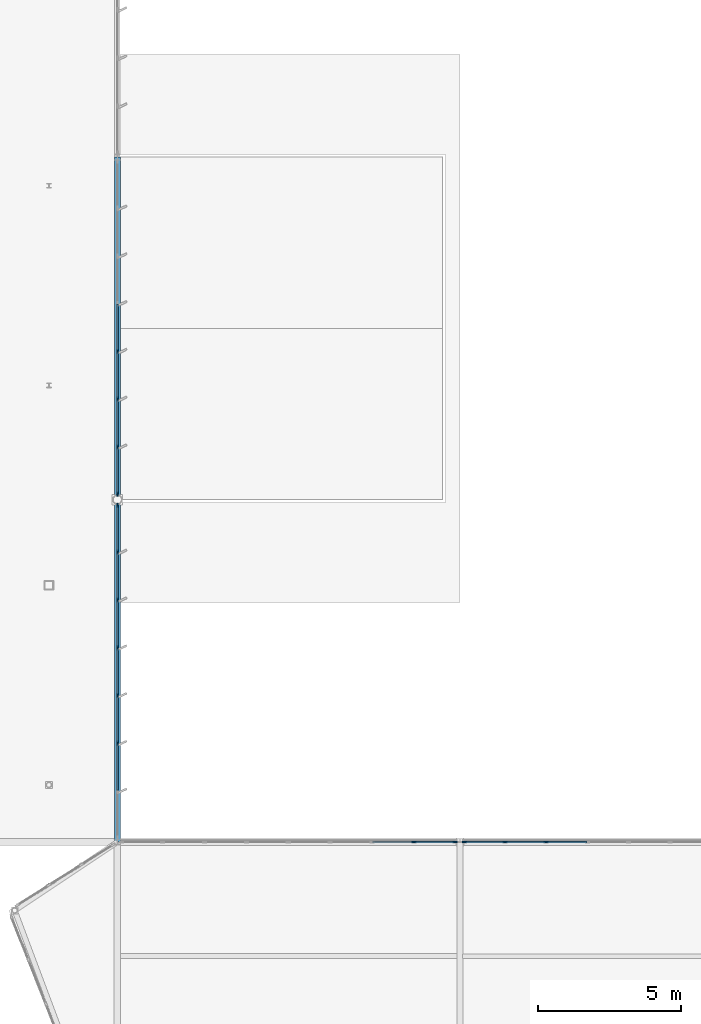
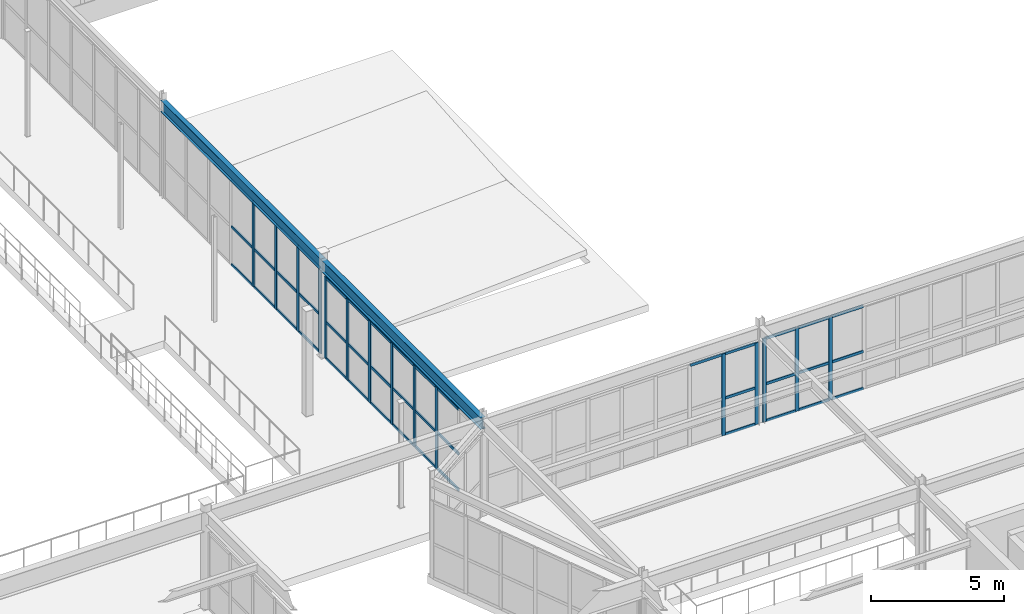
# One storey, part 115 of 226: 58 members, 2 beams, 4 elements without a shape of their own.
"""IFC4 building model written with IfcOpenShell, lengths in metres."""

from ifc_helpers import new_model, si_unit, direction, frame, origin, origin_2d, place, context, subcontext, project, spatial, rectangle, i_section, extrude, material, layer, layer_set, material_profile, profile_set, type_object, element, aggregate, save


model = new_model("IFC4")

# Units and contexts
model_context = context("Model", 3, precision=1e-05, world=origin(), true_north=direction((0.0, 1.0)))
body_context = subcontext(model_context, "Body", "Model", "MODEL_VIEW")
ifc_project = project(units=[si_unit("LENGTHUNIT", "METRE"), si_unit("AREAUNIT", "SQUARE_METRE"), si_unit("VOLUMEUNIT", "CUBIC_METRE"), si_unit("PLANEANGLEUNIT", "RADIAN"), si_unit("MASSUNIT", "GRAM", prefix="KILO")], contexts=[model_context])

# Site, building, storey
site_placement = place(None, origin())
site = spatial("IfcSite", under=ifc_project, at=site_placement, CompositionType="ELEMENT")
building_placement = place(site_placement, origin())
building = spatial("IfcBuilding", under=site, at=building_placement, Name="Tarnwether General Hospital", CompositionType="ELEMENT")
storey_placement = place(building_placement, frame((0.0, 0.0, 4.800048828125)))
storey = spatial("IfcBuildingStorey", under=building, at=storey_placement, Name="L01", CompositionType="ELEMENT", Elevation=4.800048828125)

# Beams
ifc_material_1 = material(Name="Steel Grade 350 (350 MPa)", Category="steel")
ifc_material_profile_1 = material_profile(ifc_material_1, i_section(OverallWidth=0.208984375, OverallDepth=0.532958984375, WebThickness=0.01025390625, FlangeThickness=0.015625, at=origin_2d()), Name="530UB92.4")
ifc_profile_set_1 = profile_set([ifc_material_profile_1], Name="Steel Grade 350 (350 MPa)")
beam_type_1 = type_object("IfcBeamType", Name="BM-G06", PredefinedType="BEAM", material=ifc_profile_set_1)
beam_1_placement = place(storey_placement, frame((144.0, 45.60009765625, 4.178466796875), z_axis=(0.0, 1.0, 0.0), x_axis=(-1.0, 0.0, 0.0)))
element("IfcBeam", 1, at=beam_1_placement, inside=storey, type_object=beam_type_1, Name="Primary Girder BMG-L01-14400_4560-14400_5760-1219", PredefinedType="BEAM", context=body_context, shape_type="SweptSolid", body=[
    extrude(i_section(OverallWidth=0.208984375, OverallDepth=0.532958984375, WebThickness=0.01025390625, FlangeThickness=0.015625, at=origin_2d()), origin(), (0.0, 0.0, 1.0), 12.0),
])
ifc_material_2 = material(Name="Steel Grade 350 (350 MPa)", Category="steel")
ifc_material_profile_2 = material_profile(ifc_material_2, i_section(OverallWidth=0.208984375, OverallDepth=0.528076171875, WebThickness=0.009521484375, FlangeThickness=0.01318359375, at=origin_2d()), Name="530UB82.0")
ifc_profile_set_2 = profile_set([ifc_material_profile_2], Name="Steel Grade 350 (350 MPa)")
beam_type_2 = type_object("IfcBeamType", Name="BM-G07", PredefinedType="BEAM", material=ifc_profile_set_2)
beam_2_placement = place(storey_placement, frame((144.0, 57.60009765625, 4.180908203125), z_axis=(0.0, 1.0, 0.0), x_axis=(-1.0, 0.0, 0.0)))
element("IfcBeam", 2, at=beam_2_placement, inside=storey, type_object=beam_type_2, Name="Primary Girder BMG-L01-14400_5760-14400_6960-1220", PredefinedType="BEAM", context=body_context, shape_type="SweptSolid", body=[
    extrude(i_section(OverallWidth=0.208984375, OverallDepth=0.528076171875, WebThickness=0.009521484375, FlangeThickness=0.01318359375, at=origin_2d()), origin(), (0.0, 0.0, 1.0), 12.0),
])

# Curtain wall, members
ifc_material_3 = material(Name="Anodised aluminium", Category="aluminium")
ifc_layer_1 = layer(ifc_material_3, 0.179931640625)
ifc_layer_set_1 = layer_set([ifc_layer_1], Name="Anodised aluminium")
curtain_wall_type_1 = type_object("IfcCurtainWallType", Name="CW-06", PredefinedType="NOTDEFINED", material=ifc_layer_set_1)
curtain_wall_1_placement = place(storey_placement, origin())
curtain_wall_1 = element("IfcCurtainWall", 3, at=curtain_wall_1_placement, inside=storey, type_object=curtain_wall_type_1, Name="Curtain Wall CWG-L01-1440_695-0337", PredefinedType="NOTDEFINED")
ifc_material_4 = material(Name="Anodised aluminium", Category="aluminium")
ifc_material_profile_3 = material_profile(ifc_material_4, rectangle(XDim=0.06005859375, YDim=0.159912109375, at=origin_2d()), Name="ALU-MUL-60x160")
ifc_profile_set_3 = profile_set([ifc_material_profile_3], Name="Anodised aluminium")
member_type_1 = type_object("IfcMemberType", Name="CW-ML1", PredefinedType="MULLION", material=ifc_profile_set_3)
member_1_placement = place(storey_placement, frame((144.0, 62.79296875, 0.0), z_axis=(0.0, 0.0, 1.0), x_axis=(1.0, 0.0, 0.0)))
member_1 = element("IfcMember", 4, at=member_1_placement, type_object=member_type_1, Name="CW-06 mullion 5", PredefinedType="MULLION", context=body_context, shape_type="SweptSolid", body=[
    extrude(rectangle(XDim=0.06005859375, YDim=0.159912109375, at=origin_2d()), origin(), (0.0, 0.0, 1.0), 3.89697265625),
])
member_2_placement = place(storey_placement, frame((144.0, 61.11865234375, 0.0), z_axis=(0.0, 0.0, 1.0), x_axis=(1.0, 0.0, 0.0)))
member_2 = element("IfcMember", 5, at=member_2_placement, type_object=member_type_1, Name="CW-06 mullion 6", PredefinedType="MULLION", context=body_context, shape_type="SweptSolid", body=[
    extrude(rectangle(XDim=0.06005859375, YDim=0.159912109375, at=origin_2d()), origin(), (0.0, 0.0, 1.0), 3.89697265625),
])
member_3_placement = place(storey_placement, frame((144.0, 59.4443359375, 0.0), z_axis=(0.0, 0.0, 1.0), x_axis=(1.0, 0.0, 0.0)))
member_3 = element("IfcMember", 6, at=member_3_placement, type_object=member_type_1, Name="CW-06 mullion 7", PredefinedType="MULLION", context=body_context, shape_type="SweptSolid", body=[
    extrude(rectangle(XDim=0.06005859375, YDim=0.159912109375, at=origin_2d()), origin(), (0.0, 0.0, 1.0), 3.89697265625),
])
member_4_placement = place(storey_placement, frame((144.0, 57.800048828125, 0.0), z_axis=(0.0, 0.0, 1.0), x_axis=(1.0, 0.0, 0.0)))
member_4 = element("IfcMember", 7, at=member_4_placement, type_object=member_type_1, Name="CW-06 mullion 8", PredefinedType="MULLION", context=body_context, shape_type="SweptSolid", body=[
    extrude(rectangle(XDim=0.06005859375, YDim=0.159912109375, at=origin_2d()), origin(), (0.0, 0.0, 1.0), 3.89697265625),
])

curtain_wall_2_placement = place(storey_placement, origin())
curtain_wall_2 = element("IfcCurtainWall", 8, at=curtain_wall_2_placement, inside=storey, type_object=curtain_wall_type_1, Name="Curtain Wall CWG-L01-1440_574-0338", PredefinedType="NOTDEFINED")
member_5_placement = place(storey_placement, frame((144.0, 57.39990234375, 0.0), z_axis=(0.0, 0.0, 1.0), x_axis=(1.0, 0.0, 0.0)))
member_5 = element("IfcMember", 9, at=member_5_placement, type_object=member_type_1, Name="CW-06 mullion 1", PredefinedType="MULLION", context=body_context, shape_type="SweptSolid", body=[
    extrude(rectangle(XDim=0.06005859375, YDim=0.159912109375, at=origin_2d()), origin(), (0.0, 0.0, 1.0), 3.738037109375),
])
member_6_placement = place(storey_placement, frame((144.0, 55.756103515625, 0.0), z_axis=(0.0, 0.0, 1.0), x_axis=(1.0, 0.0, 0.0)))
member_6 = element("IfcMember", 10, at=member_6_placement, type_object=member_type_1, Name="CW-06 mullion 2", PredefinedType="MULLION", context=body_context, shape_type="SweptSolid", body=[
    extrude(rectangle(XDim=0.06005859375, YDim=0.159912109375, at=origin_2d()), origin(), (0.0, 0.0, 1.0), 3.738037109375),
])
member_7_placement = place(storey_placement, frame((144.0, 54.082275390625, 0.0), z_axis=(0.0, 0.0, 1.0), x_axis=(1.0, 0.0, 0.0)))
member_7 = element("IfcMember", 11, at=member_7_placement, type_object=member_type_1, Name="CW-06 mullion 3", PredefinedType="MULLION", context=body_context, shape_type="SweptSolid", body=[
    extrude(rectangle(XDim=0.06005859375, YDim=0.159912109375, at=origin_2d()), origin(), (0.0, 0.0, 1.0), 3.738037109375),
])
member_8_placement = place(storey_placement, frame((144.0, 52.408447265625, 0.0), z_axis=(0.0, 0.0, 1.0), x_axis=(1.0, 0.0, 0.0)))
member_8 = element("IfcMember", 12, at=member_8_placement, type_object=member_type_1, Name="CW-06 mullion 4", PredefinedType="MULLION", context=body_context, shape_type="SweptSolid", body=[
    extrude(rectangle(XDim=0.06005859375, YDim=0.159912109375, at=origin_2d()), origin(), (0.0, 0.0, 1.0), 3.738037109375),
])
member_9_placement = place(storey_placement, frame((144.0, 50.734619140625, 0.0), z_axis=(0.0, 0.0, 1.0), x_axis=(1.0, 0.0, 0.0)))
member_9 = element("IfcMember", 13, at=member_9_placement, type_object=member_type_1, Name="CW-06 mullion 5", PredefinedType="MULLION", context=body_context, shape_type="SweptSolid", body=[
    extrude(rectangle(XDim=0.06005859375, YDim=0.159912109375, at=origin_2d()), origin(), (0.0, 0.0, 1.0), 3.738037109375),
])
member_10_placement = place(storey_placement, frame((144.0, 49.060791015625, 0.0), z_axis=(0.0, 0.0, 1.0), x_axis=(1.0, 0.0, 0.0)))
member_10 = element("IfcMember", 14, at=member_10_placement, type_object=member_type_1, Name="CW-06 mullion 6", PredefinedType="MULLION", context=body_context, shape_type="SweptSolid", body=[
    extrude(rectangle(XDim=0.06005859375, YDim=0.159912109375, at=origin_2d()), origin(), (0.0, 0.0, 1.0), 3.738037109375),
])

ifc_material_5 = material(Name="Anodised aluminium", Category="aluminium")
ifc_layer_2 = layer(ifc_material_5, 0.159912109375)
ifc_layer_set_2 = layer_set([ifc_layer_2], Name="Anodised aluminium")
curtain_wall_type_2 = type_object("IfcCurtainWallType", Name="CW-18", PredefinedType="NOTDEFINED", material=ifc_layer_set_2)
curtain_wall_3_placement = place(storey_placement, origin())
curtain_wall_3 = element("IfcCurtainWall", 15, at=curtain_wall_3_placement, inside=storey, type_object=curtain_wall_type_2, Name="Curtain Wall CWG-L01-1441_456-0379", PredefinedType="NOTDEFINED")
member_11_placement = place(storey_placement, frame((154.39306640625, 45.60009765625, 0.0), z_axis=(0.0, 0.0, 1.0), x_axis=(0.0, 1.0, 0.0)))
member_11 = element("IfcMember", 16, at=member_11_placement, type_object=member_type_1, Name="CW-18 mullion 8", PredefinedType="MULLION", context=body_context, shape_type="SweptSolid", body=[
    extrude(rectangle(XDim=0.06005859375, YDim=0.159912109375, at=origin_2d()), origin(), (0.0, 0.0, 1.0), 3.738037109375),
])
member_12_placement = place(storey_placement, frame((155.83203125, 45.60009765625, 0.0), z_axis=(0.0, 0.0, 1.0), x_axis=(0.0, 1.0, 0.0)))
member_12 = element("IfcMember", 17, at=member_12_placement, type_object=member_type_1, Name="CW-18 mullion 9", PredefinedType="MULLION", context=body_context, shape_type="SweptSolid", body=[
    extrude(rectangle(XDim=0.06005859375, YDim=0.159912109375, at=origin_2d()), origin(), (0.0, 0.0, 1.0), 3.738037109375),
])

curtain_wall_4_placement = place(storey_placement, origin())
curtain_wall_4 = element("IfcCurtainWall", 18, at=curtain_wall_4_placement, inside=storey, type_object=curtain_wall_type_2, Name="Curtain Wall CWG-L01-1561_456-0380", PredefinedType="NOTDEFINED")
member_13_placement = place(storey_placement, frame((156.16796875, 45.60009765625, 0.0), z_axis=(0.0, 0.0, 1.0), x_axis=(0.0, 1.0, 0.0)))
member_13 = element("IfcMember", 19, at=member_13_placement, type_object=member_type_1, Name="CW-18 mullion 1", PredefinedType="MULLION", context=body_context, shape_type="SweptSolid", body=[
    extrude(rectangle(XDim=0.06005859375, YDim=0.159912109375, at=origin_2d()), origin(), (0.0, 0.0, 1.0), 3.81787109375),
])
member_14_placement = place(storey_placement, frame((157.582275390625, 45.60009765625, 0.0), z_axis=(0.0, 0.0, 1.0), x_axis=(0.0, 1.0, 0.0)))
member_14 = element("IfcMember", 20, at=member_14_placement, type_object=member_type_1, Name="CW-18 mullion 2", PredefinedType="MULLION", context=body_context, shape_type="SweptSolid", body=[
    extrude(rectangle(XDim=0.06005859375, YDim=0.159912109375, at=origin_2d()), origin(), (0.0, 0.0, 1.0), 3.81787109375),
])
member_15_placement = place(storey_placement, frame((159.026611328125, 45.60009765625, 0.0), z_axis=(0.0, 0.0, 1.0), x_axis=(0.0, 1.0, 0.0)))
member_15 = element("IfcMember", 21, at=member_15_placement, type_object=member_type_1, Name="CW-18 mullion 3", PredefinedType="MULLION", context=body_context, shape_type="SweptSolid", body=[
    extrude(rectangle(XDim=0.06005859375, YDim=0.159912109375, at=origin_2d()), origin(), (0.0, 0.0, 1.0), 3.81787109375),
])

# Member
ifc_material_6 = material(Name="Anodised aluminium", Category="aluminium")
ifc_material_profile_4 = material_profile(ifc_material_6, rectangle(XDim=0.06005859375, YDim=0.1201171875, at=origin_2d()), Name="ALU-TRN-60x120")
ifc_profile_set_4 = profile_set([ifc_material_profile_4], Name="Anodised aluminium")
member_type_2 = type_object("IfcMemberType", Name="CW-TR1", PredefinedType="USERDEFINED", material=ifc_profile_set_4)
member_16_placement = place(storey_placement, frame((144.0, 64.437255859375, 0.030029296875), z_axis=(0.0, -1.0, 0.0), x_axis=(1.0, 0.0, 0.0)))
member_16 = element("IfcMember", 22, at=member_16_placement, type_object=member_type_2, Name="CW-06 transom 4.1", ObjectType="TRANSOM", PredefinedType="USERDEFINED", context=body_context, shape_type="SweptSolid", body=[
    extrude(rectangle(XDim=0.06005859375, YDim=0.1201171875, at=origin_2d()), origin(), (0.0, 0.0, 1.0), 1.614501953125),
])

member_17_placement = place(storey_placement, frame((144.0, 64.437255859375, 1.753662109375), z_axis=(0.0, -1.0, 0.0), x_axis=(1.0, 0.0, 0.0)))
member_17 = element("IfcMember", 23, at=member_17_placement, type_object=member_type_2, Name="CW-06 transom 4.2", ObjectType="TRANSOM", PredefinedType="USERDEFINED", context=body_context, shape_type="SweptSolid", body=[
    extrude(rectangle(XDim=0.06005859375, YDim=0.1201171875, at=origin_2d()), origin(), (0.0, 0.0, 1.0), 1.614501953125),
])

member_18_placement = place(storey_placement, frame((144.0, 64.437255859375, 3.866943359375), z_axis=(0.0, -1.0, 0.0), x_axis=(1.0, 0.0, 0.0)))
member_18 = element("IfcMember", 24, at=member_18_placement, type_object=member_type_2, Name="CW-06 transom 4.3", ObjectType="TRANSOM", PredefinedType="USERDEFINED", context=body_context, shape_type="SweptSolid", body=[
    extrude(rectangle(XDim=0.06005859375, YDim=0.1201171875, at=origin_2d()), origin(), (0.0, 0.0, 1.0), 1.614501953125),
])

member_19_placement = place(storey_placement, frame((144.0, 62.762939453125, 0.030029296875), z_axis=(0.0, -1.0, 0.0), x_axis=(1.0, 0.0, 0.0)))
member_19 = element("IfcMember", 25, at=member_19_placement, type_object=member_type_2, Name="CW-06 transom 5.1", ObjectType="TRANSOM", PredefinedType="USERDEFINED", context=body_context, shape_type="SweptSolid", body=[
    extrude(rectangle(XDim=0.06005859375, YDim=0.1201171875, at=origin_2d()), origin(), (0.0, 0.0, 1.0), 1.6142578125),
])

member_20_placement = place(storey_placement, frame((144.0, 62.762939453125, 1.753662109375), z_axis=(0.0, -1.0, 0.0), x_axis=(1.0, 0.0, 0.0)))
member_20 = element("IfcMember", 26, at=member_20_placement, type_object=member_type_2, Name="CW-06 transom 5.2", ObjectType="TRANSOM", PredefinedType="USERDEFINED", context=body_context, shape_type="SweptSolid", body=[
    extrude(rectangle(XDim=0.06005859375, YDim=0.1201171875, at=origin_2d()), origin(), (0.0, 0.0, 1.0), 1.6142578125),
])

member_21_placement = place(storey_placement, frame((144.0, 62.762939453125, 3.866943359375), z_axis=(0.0, -1.0, 0.0), x_axis=(1.0, 0.0, 0.0)))
member_21 = element("IfcMember", 27, at=member_21_placement, type_object=member_type_2, Name="CW-06 transom 5.3", ObjectType="TRANSOM", PredefinedType="USERDEFINED", context=body_context, shape_type="SweptSolid", body=[
    extrude(rectangle(XDim=0.06005859375, YDim=0.1201171875, at=origin_2d()), origin(), (0.0, 0.0, 1.0), 1.6142578125),
])

member_22_placement = place(storey_placement, frame((144.0, 61.088623046875, 0.030029296875), z_axis=(0.0, -1.0, 0.0), x_axis=(1.0, 0.0, 0.0)))
member_22 = element("IfcMember", 28, at=member_22_placement, type_object=member_type_2, Name="CW-06 transom 6.1", ObjectType="TRANSOM", PredefinedType="USERDEFINED", context=body_context, shape_type="SweptSolid", body=[
    extrude(rectangle(XDim=0.06005859375, YDim=0.1201171875, at=origin_2d()), origin(), (0.0, 0.0, 1.0), 1.6142578125),
])

member_23_placement = place(storey_placement, frame((144.0, 61.088623046875, 1.753662109375), z_axis=(0.0, -1.0, 0.0), x_axis=(1.0, 0.0, 0.0)))
member_23 = element("IfcMember", 29, at=member_23_placement, type_object=member_type_2, Name="CW-06 transom 6.2", ObjectType="TRANSOM", PredefinedType="USERDEFINED", context=body_context, shape_type="SweptSolid", body=[
    extrude(rectangle(XDim=0.06005859375, YDim=0.1201171875, at=origin_2d()), origin(), (0.0, 0.0, 1.0), 1.6142578125),
])

member_24_placement = place(storey_placement, frame((144.0, 61.088623046875, 3.866943359375), z_axis=(0.0, -1.0, 0.0), x_axis=(1.0, 0.0, 0.0)))
member_24 = element("IfcMember", 30, at=member_24_placement, type_object=member_type_2, Name="CW-06 transom 6.3", ObjectType="TRANSOM", PredefinedType="USERDEFINED", context=body_context, shape_type="SweptSolid", body=[
    extrude(rectangle(XDim=0.06005859375, YDim=0.1201171875, at=origin_2d()), origin(), (0.0, 0.0, 1.0), 1.6142578125),
])

member_25_placement = place(storey_placement, frame((144.0, 59.414306640625, 0.030029296875), z_axis=(0.0, -1.0, 0.0), x_axis=(1.0, 0.0, 0.0)))
member_25 = element("IfcMember", 31, at=member_25_placement, type_object=member_type_2, Name="CW-06 transom 7.1", ObjectType="TRANSOM", PredefinedType="USERDEFINED", context=body_context, shape_type="SweptSolid", body=[
    extrude(rectangle(XDim=0.06005859375, YDim=0.1201171875, at=origin_2d()), origin(), (0.0, 0.0, 1.0), 1.584228515625),
])

member_26_placement = place(storey_placement, frame((144.0, 59.414306640625, 1.753662109375), z_axis=(0.0, -1.0, 0.0), x_axis=(1.0, 0.0, 0.0)))
member_26 = element("IfcMember", 32, at=member_26_placement, type_object=member_type_2, Name="CW-06 transom 7.2", ObjectType="TRANSOM", PredefinedType="USERDEFINED", context=body_context, shape_type="SweptSolid", body=[
    extrude(rectangle(XDim=0.06005859375, YDim=0.1201171875, at=origin_2d()), origin(), (0.0, 0.0, 1.0), 1.584228515625),
])

member_27_placement = place(storey_placement, frame((144.0, 59.414306640625, 3.866943359375), z_axis=(0.0, -1.0, 0.0), x_axis=(1.0, 0.0, 0.0)))
member_27 = element("IfcMember", 33, at=member_27_placement, type_object=member_type_2, Name="CW-06 transom 7.3", ObjectType="TRANSOM", PredefinedType="USERDEFINED", context=body_context, shape_type="SweptSolid", body=[
    extrude(rectangle(XDim=0.06005859375, YDim=0.1201171875, at=origin_2d()), origin(), (0.0, 0.0, 1.0), 1.584228515625),
])

aggregate(curtain_wall_1, [member_1, member_2, member_3, member_4, member_16, member_17, member_18, member_19, member_20, member_21, member_22, member_23, member_24, member_25, member_26, member_27])

member_28_placement = place(storey_placement, frame((144.0, 57.3701171875, 0.030029296875), z_axis=(0.0, -1.0, 0.0), x_axis=(1.0, 0.0, 0.0)))
member_28 = element("IfcMember", 34, at=member_28_placement, type_object=member_type_2, Name="CW-06 transom 1.1", ObjectType="TRANSOM", PredefinedType="USERDEFINED", context=body_context, shape_type="SweptSolid", body=[
    extrude(rectangle(XDim=0.06005859375, YDim=0.1201171875, at=origin_2d()), origin(), (0.0, 0.0, 1.0), 1.583984375),
])

member_29_placement = place(storey_placement, frame((144.0, 57.3701171875, 1.68212890625), z_axis=(0.0, -1.0, 0.0), x_axis=(1.0, 0.0, 0.0)))
member_29 = element("IfcMember", 35, at=member_29_placement, type_object=member_type_2, Name="CW-06 transom 1.2", ObjectType="TRANSOM", PredefinedType="USERDEFINED", context=body_context, shape_type="SweptSolid", body=[
    extrude(rectangle(XDim=0.06005859375, YDim=0.1201171875, at=origin_2d()), origin(), (0.0, 0.0, 1.0), 1.583984375),
])

member_30_placement = place(storey_placement, frame((144.0, 57.3701171875, 3.7080078125), z_axis=(0.0, -1.0, 0.0), x_axis=(1.0, 0.0, 0.0)))
member_30 = element("IfcMember", 36, at=member_30_placement, type_object=member_type_2, Name="CW-06 transom 1.3", ObjectType="TRANSOM", PredefinedType="USERDEFINED", context=body_context, shape_type="SweptSolid", body=[
    extrude(rectangle(XDim=0.06005859375, YDim=0.1201171875, at=origin_2d()), origin(), (0.0, 0.0, 1.0), 1.583984375),
])

member_31_placement = place(storey_placement, frame((144.0, 55.72607421875, 0.030029296875), z_axis=(0.0, -1.0, 0.0), x_axis=(1.0, 0.0, 0.0)))
member_31 = element("IfcMember", 37, at=member_31_placement, type_object=member_type_2, Name="CW-06 transom 2.1", ObjectType="TRANSOM", PredefinedType="USERDEFINED", context=body_context, shape_type="SweptSolid", body=[
    extrude(rectangle(XDim=0.06005859375, YDim=0.1201171875, at=origin_2d()), origin(), (0.0, 0.0, 1.0), 1.61376953125),
])

member_32_placement = place(storey_placement, frame((144.0, 55.72607421875, 1.68212890625), z_axis=(0.0, -1.0, 0.0), x_axis=(1.0, 0.0, 0.0)))
member_32 = element("IfcMember", 38, at=member_32_placement, type_object=member_type_2, Name="CW-06 transom 2.2", ObjectType="TRANSOM", PredefinedType="USERDEFINED", context=body_context, shape_type="SweptSolid", body=[
    extrude(rectangle(XDim=0.06005859375, YDim=0.1201171875, at=origin_2d()), origin(), (0.0, 0.0, 1.0), 1.61376953125),
])

member_33_placement = place(storey_placement, frame((144.0, 55.72607421875, 3.7080078125), z_axis=(0.0, -1.0, 0.0), x_axis=(1.0, 0.0, 0.0)))
member_33 = element("IfcMember", 39, at=member_33_placement, type_object=member_type_2, Name="CW-06 transom 2.3", ObjectType="TRANSOM", PredefinedType="USERDEFINED", context=body_context, shape_type="SweptSolid", body=[
    extrude(rectangle(XDim=0.06005859375, YDim=0.1201171875, at=origin_2d()), origin(), (0.0, 0.0, 1.0), 1.61376953125),
])

member_34_placement = place(storey_placement, frame((144.0, 54.05224609375, 0.030029296875), z_axis=(0.0, -1.0, 0.0), x_axis=(1.0, 0.0, 0.0)))
member_34 = element("IfcMember", 40, at=member_34_placement, type_object=member_type_2, Name="CW-06 transom 3.1", ObjectType="TRANSOM", PredefinedType="USERDEFINED", context=body_context, shape_type="SweptSolid", body=[
    extrude(rectangle(XDim=0.06005859375, YDim=0.1201171875, at=origin_2d()), origin(), (0.0, 0.0, 1.0), 1.61376953125),
])

member_35_placement = place(storey_placement, frame((144.0, 54.05224609375, 1.68212890625), z_axis=(0.0, -1.0, 0.0), x_axis=(1.0, 0.0, 0.0)))
member_35 = element("IfcMember", 41, at=member_35_placement, type_object=member_type_2, Name="CW-06 transom 3.2", ObjectType="TRANSOM", PredefinedType="USERDEFINED", context=body_context, shape_type="SweptSolid", body=[
    extrude(rectangle(XDim=0.06005859375, YDim=0.1201171875, at=origin_2d()), origin(), (0.0, 0.0, 1.0), 1.61376953125),
])

member_36_placement = place(storey_placement, frame((144.0, 54.05224609375, 3.7080078125), z_axis=(0.0, -1.0, 0.0), x_axis=(1.0, 0.0, 0.0)))
member_36 = element("IfcMember", 42, at=member_36_placement, type_object=member_type_2, Name="CW-06 transom 3.3", ObjectType="TRANSOM", PredefinedType="USERDEFINED", context=body_context, shape_type="SweptSolid", body=[
    extrude(rectangle(XDim=0.06005859375, YDim=0.1201171875, at=origin_2d()), origin(), (0.0, 0.0, 1.0), 1.61376953125),
])

member_37_placement = place(storey_placement, frame((144.0, 52.37841796875, 0.030029296875), z_axis=(0.0, -1.0, 0.0), x_axis=(1.0, 0.0, 0.0)))
member_37 = element("IfcMember", 43, at=member_37_placement, type_object=member_type_2, Name="CW-06 transom 4.1", ObjectType="TRANSOM", PredefinedType="USERDEFINED", context=body_context, shape_type="SweptSolid", body=[
    extrude(rectangle(XDim=0.06005859375, YDim=0.1201171875, at=origin_2d()), origin(), (0.0, 0.0, 1.0), 1.61376953125),
])

member_38_placement = place(storey_placement, frame((144.0, 52.37841796875, 1.68212890625), z_axis=(0.0, -1.0, 0.0), x_axis=(1.0, 0.0, 0.0)))
member_38 = element("IfcMember", 44, at=member_38_placement, type_object=member_type_2, Name="CW-06 transom 4.2", ObjectType="TRANSOM", PredefinedType="USERDEFINED", context=body_context, shape_type="SweptSolid", body=[
    extrude(rectangle(XDim=0.06005859375, YDim=0.1201171875, at=origin_2d()), origin(), (0.0, 0.0, 1.0), 1.61376953125),
])

member_39_placement = place(storey_placement, frame((144.0, 52.37841796875, 3.7080078125), z_axis=(0.0, -1.0, 0.0), x_axis=(1.0, 0.0, 0.0)))
member_39 = element("IfcMember", 45, at=member_39_placement, type_object=member_type_2, Name="CW-06 transom 4.3", ObjectType="TRANSOM", PredefinedType="USERDEFINED", context=body_context, shape_type="SweptSolid", body=[
    extrude(rectangle(XDim=0.06005859375, YDim=0.1201171875, at=origin_2d()), origin(), (0.0, 0.0, 1.0), 1.61376953125),
])

member_40_placement = place(storey_placement, frame((144.0, 50.70458984375, 0.030029296875), z_axis=(0.0, -1.0, 0.0), x_axis=(1.0, 0.0, 0.0)))
member_40 = element("IfcMember", 46, at=member_40_placement, type_object=member_type_2, Name="CW-06 transom 5.1", ObjectType="TRANSOM", PredefinedType="USERDEFINED", context=body_context, shape_type="SweptSolid", body=[
    extrude(rectangle(XDim=0.06005859375, YDim=0.1201171875, at=origin_2d()), origin(), (0.0, 0.0, 1.0), 1.61376953125),
])

member_41_placement = place(storey_placement, frame((144.0, 50.70458984375, 1.68212890625), z_axis=(0.0, -1.0, 0.0), x_axis=(1.0, 0.0, 0.0)))
member_41 = element("IfcMember", 47, at=member_41_placement, type_object=member_type_2, Name="CW-06 transom 5.2", ObjectType="TRANSOM", PredefinedType="USERDEFINED", context=body_context, shape_type="SweptSolid", body=[
    extrude(rectangle(XDim=0.06005859375, YDim=0.1201171875, at=origin_2d()), origin(), (0.0, 0.0, 1.0), 1.61376953125),
])

member_42_placement = place(storey_placement, frame((144.0, 50.70458984375, 3.7080078125), z_axis=(0.0, -1.0, 0.0), x_axis=(1.0, 0.0, 0.0)))
member_42 = element("IfcMember", 48, at=member_42_placement, type_object=member_type_2, Name="CW-06 transom 5.3", ObjectType="TRANSOM", PredefinedType="USERDEFINED", context=body_context, shape_type="SweptSolid", body=[
    extrude(rectangle(XDim=0.06005859375, YDim=0.1201171875, at=origin_2d()), origin(), (0.0, 0.0, 1.0), 1.61376953125),
])

member_43_placement = place(storey_placement, frame((144.0, 49.03076171875, 0.030029296875), z_axis=(0.0, -1.0, 0.0), x_axis=(1.0, 0.0, 0.0)))
member_43 = element("IfcMember", 49, at=member_43_placement, type_object=member_type_2, Name="CW-06 transom 6.1", ObjectType="TRANSOM", PredefinedType="USERDEFINED", context=body_context, shape_type="SweptSolid", body=[
    extrude(rectangle(XDim=0.06005859375, YDim=0.1201171875, at=origin_2d()), origin(), (0.0, 0.0, 1.0), 1.614013671875),
])

member_44_placement = place(storey_placement, frame((144.0, 49.03076171875, 1.68212890625), z_axis=(0.0, -1.0, 0.0), x_axis=(1.0, 0.0, 0.0)))
member_44 = element("IfcMember", 50, at=member_44_placement, type_object=member_type_2, Name="CW-06 transom 6.2", ObjectType="TRANSOM", PredefinedType="USERDEFINED", context=body_context, shape_type="SweptSolid", body=[
    extrude(rectangle(XDim=0.06005859375, YDim=0.1201171875, at=origin_2d()), origin(), (0.0, 0.0, 1.0), 1.614013671875),
])

member_45_placement = place(storey_placement, frame((144.0, 49.03076171875, 3.7080078125), z_axis=(0.0, -1.0, 0.0), x_axis=(1.0, 0.0, 0.0)))
member_45 = element("IfcMember", 51, at=member_45_placement, type_object=member_type_2, Name="CW-06 transom 6.3", ObjectType="TRANSOM", PredefinedType="USERDEFINED", context=body_context, shape_type="SweptSolid", body=[
    extrude(rectangle(XDim=0.06005859375, YDim=0.1201171875, at=origin_2d()), origin(), (0.0, 0.0, 1.0), 1.614013671875),
])

aggregate(curtain_wall_2, [member_5, member_6, member_7, member_8, member_9, member_10, member_28, member_29, member_30, member_31, member_32, member_33, member_34, member_35, member_36, member_37, member_38, member_39, member_40, member_41, member_42, member_43, member_44, member_45])

member_46_placement = place(storey_placement, frame((152.954345703125, 45.60009765625, 3.7080078125), z_axis=(1.0, 0.0, 0.0), x_axis=(0.0, 1.0, 0.0)))
member_46 = element("IfcMember", 52, at=member_46_placement, type_object=member_type_2, Name="CW-18 transom 7.3", ObjectType="TRANSOM", PredefinedType="USERDEFINED", context=body_context, shape_type="SweptSolid", body=[
    extrude(rectangle(XDim=0.06005859375, YDim=0.1201171875, at=origin_2d()), origin(), (0.0, 0.0, 1.0), 1.40869140625),
])

member_47_placement = place(storey_placement, frame((154.423095703125, 45.60009765625, 0.030029296875), z_axis=(1.0, 0.0, 0.0), x_axis=(0.0, 1.0, 0.0)))
member_47 = element("IfcMember", 53, at=member_47_placement, type_object=member_type_2, Name="CW-18 transom 8.1", ObjectType="TRANSOM", PredefinedType="USERDEFINED", context=body_context, shape_type="SweptSolid", body=[
    extrude(rectangle(XDim=0.06005859375, YDim=0.1201171875, at=origin_2d()), origin(), (0.0, 0.0, 1.0), 1.37890625),
])

member_48_placement = place(storey_placement, frame((154.423095703125, 45.60009765625, 1.68212890625), z_axis=(1.0, 0.0, 0.0), x_axis=(0.0, 1.0, 0.0)))
member_48 = element("IfcMember", 54, at=member_48_placement, type_object=member_type_2, Name="CW-18 transom 8.2", ObjectType="TRANSOM", PredefinedType="USERDEFINED", context=body_context, shape_type="SweptSolid", body=[
    extrude(rectangle(XDim=0.06005859375, YDim=0.1201171875, at=origin_2d()), origin(), (0.0, 0.0, 1.0), 1.37890625),
])

member_49_placement = place(storey_placement, frame((154.423095703125, 45.60009765625, 3.7080078125), z_axis=(1.0, 0.0, 0.0), x_axis=(0.0, 1.0, 0.0)))
member_49 = element("IfcMember", 55, at=member_49_placement, type_object=member_type_2, Name="CW-18 transom 8.3", ObjectType="TRANSOM", PredefinedType="USERDEFINED", context=body_context, shape_type="SweptSolid", body=[
    extrude(rectangle(XDim=0.06005859375, YDim=0.1201171875, at=origin_2d()), origin(), (0.0, 0.0, 1.0), 1.37890625),
])

aggregate(curtain_wall_3, [member_11, member_12, member_46, member_47, member_48, member_49])

member_50_placement = place(storey_placement, frame((156.197998046875, 45.60009765625, 0.030029296875), z_axis=(1.0, 0.0, 0.0), x_axis=(0.0, 1.0, 0.0)))
member_50 = element("IfcMember", 56, at=member_50_placement, type_object=member_type_2, Name="CW-18 transom 1.1", ObjectType="TRANSOM", PredefinedType="USERDEFINED", context=body_context, shape_type="SweptSolid", body=[
    extrude(rectangle(XDim=0.06005859375, YDim=0.1201171875, at=origin_2d()), origin(), (0.0, 0.0, 1.0), 1.354248046875),
])

member_51_placement = place(storey_placement, frame((156.197998046875, 45.60009765625, 1.718017578125), z_axis=(1.0, 0.0, 0.0), x_axis=(0.0, 1.0, 0.0)))
member_51 = element("IfcMember", 57, at=member_51_placement, type_object=member_type_2, Name="CW-18 transom 1.2", ObjectType="TRANSOM", PredefinedType="USERDEFINED", context=body_context, shape_type="SweptSolid", body=[
    extrude(rectangle(XDim=0.06005859375, YDim=0.1201171875, at=origin_2d()), origin(), (0.0, 0.0, 1.0), 1.354248046875),
])

member_52_placement = place(storey_placement, frame((156.197998046875, 45.60009765625, 3.787841796875), z_axis=(1.0, 0.0, 0.0), x_axis=(0.0, 1.0, 0.0)))
member_52 = element("IfcMember", 58, at=member_52_placement, type_object=member_type_2, Name="CW-18 transom 1.3", ObjectType="TRANSOM", PredefinedType="USERDEFINED", context=body_context, shape_type="SweptSolid", body=[
    extrude(rectangle(XDim=0.06005859375, YDim=0.1201171875, at=origin_2d()), origin(), (0.0, 0.0, 1.0), 1.354248046875),
])

member_53_placement = place(storey_placement, frame((157.6123046875, 45.60009765625, 0.030029296875), z_axis=(1.0, 0.0, 0.0), x_axis=(0.0, 1.0, 0.0)))
member_53 = element("IfcMember", 59, at=member_53_placement, type_object=member_type_2, Name="CW-18 transom 2.1", ObjectType="TRANSOM", PredefinedType="USERDEFINED", context=body_context, shape_type="SweptSolid", body=[
    extrude(rectangle(XDim=0.06005859375, YDim=0.1201171875, at=origin_2d()), origin(), (0.0, 0.0, 1.0), 1.38427734375),
])

member_54_placement = place(storey_placement, frame((157.6123046875, 45.60009765625, 1.718017578125), z_axis=(1.0, 0.0, 0.0), x_axis=(0.0, 1.0, 0.0)))
member_54 = element("IfcMember", 60, at=member_54_placement, type_object=member_type_2, Name="CW-18 transom 2.2", ObjectType="TRANSOM", PredefinedType="USERDEFINED", context=body_context, shape_type="SweptSolid", body=[
    extrude(rectangle(XDim=0.06005859375, YDim=0.1201171875, at=origin_2d()), origin(), (0.0, 0.0, 1.0), 1.38427734375),
])

member_55_placement = place(storey_placement, frame((157.6123046875, 45.60009765625, 3.787841796875), z_axis=(1.0, 0.0, 0.0), x_axis=(0.0, 1.0, 0.0)))
member_55 = element("IfcMember", 61, at=member_55_placement, type_object=member_type_2, Name="CW-18 transom 2.3", ObjectType="TRANSOM", PredefinedType="USERDEFINED", context=body_context, shape_type="SweptSolid", body=[
    extrude(rectangle(XDim=0.06005859375, YDim=0.1201171875, at=origin_2d()), origin(), (0.0, 0.0, 1.0), 1.38427734375),
])

member_56_placement = place(storey_placement, frame((159.056396484375, 45.60009765625, 0.030029296875), z_axis=(1.0, 0.0, 0.0), x_axis=(0.0, 1.0, 0.0)))
member_56 = element("IfcMember", 62, at=member_56_placement, type_object=member_type_2, Name="CW-18 transom 3.1", ObjectType="TRANSOM", PredefinedType="USERDEFINED", context=body_context, shape_type="SweptSolid", body=[
    extrude(rectangle(XDim=0.06005859375, YDim=0.1201171875, at=origin_2d()), origin(), (0.0, 0.0, 1.0), 1.38427734375),
])

member_57_placement = place(storey_placement, frame((159.056396484375, 45.60009765625, 1.718017578125), z_axis=(1.0, 0.0, 0.0), x_axis=(0.0, 1.0, 0.0)))
member_57 = element("IfcMember", 63, at=member_57_placement, type_object=member_type_2, Name="CW-18 transom 3.2", ObjectType="TRANSOM", PredefinedType="USERDEFINED", context=body_context, shape_type="SweptSolid", body=[
    extrude(rectangle(XDim=0.06005859375, YDim=0.1201171875, at=origin_2d()), origin(), (0.0, 0.0, 1.0), 1.38427734375),
])

member_58_placement = place(storey_placement, frame((159.056396484375, 45.60009765625, 3.787841796875), z_axis=(1.0, 0.0, 0.0), x_axis=(0.0, 1.0, 0.0)))
member_58 = element("IfcMember", 64, at=member_58_placement, type_object=member_type_2, Name="CW-18 transom 3.3", ObjectType="TRANSOM", PredefinedType="USERDEFINED", context=body_context, shape_type="SweptSolid", body=[
    extrude(rectangle(XDim=0.06005859375, YDim=0.1201171875, at=origin_2d()), origin(), (0.0, 0.0, 1.0), 1.38427734375),
])

aggregate(curtain_wall_4, [member_13, member_14, member_15, member_50, member_51, member_52, member_53, member_54, member_55, member_56, member_57, member_58])

save(model, "model.ifc")
